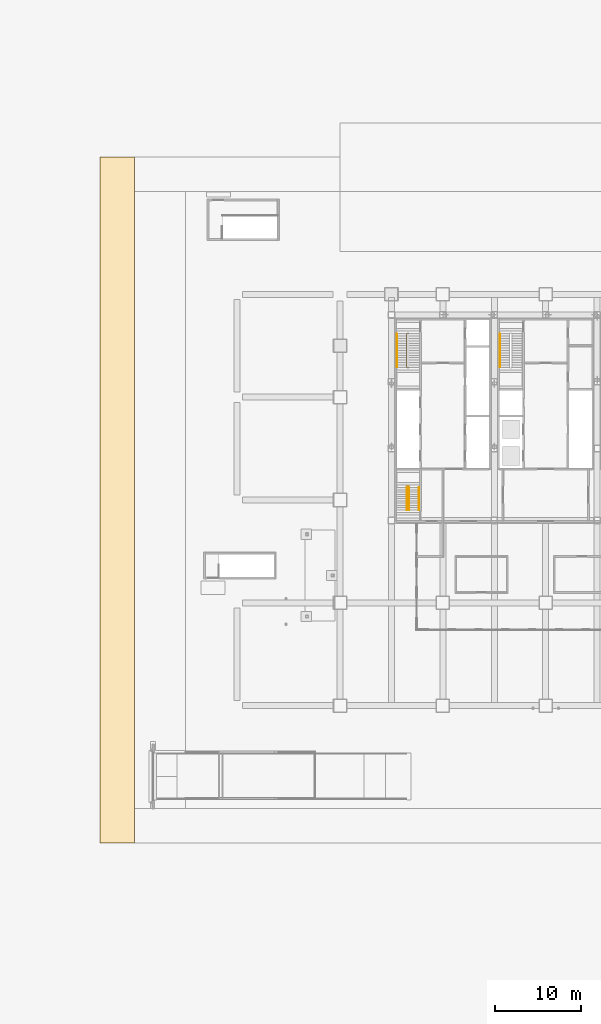
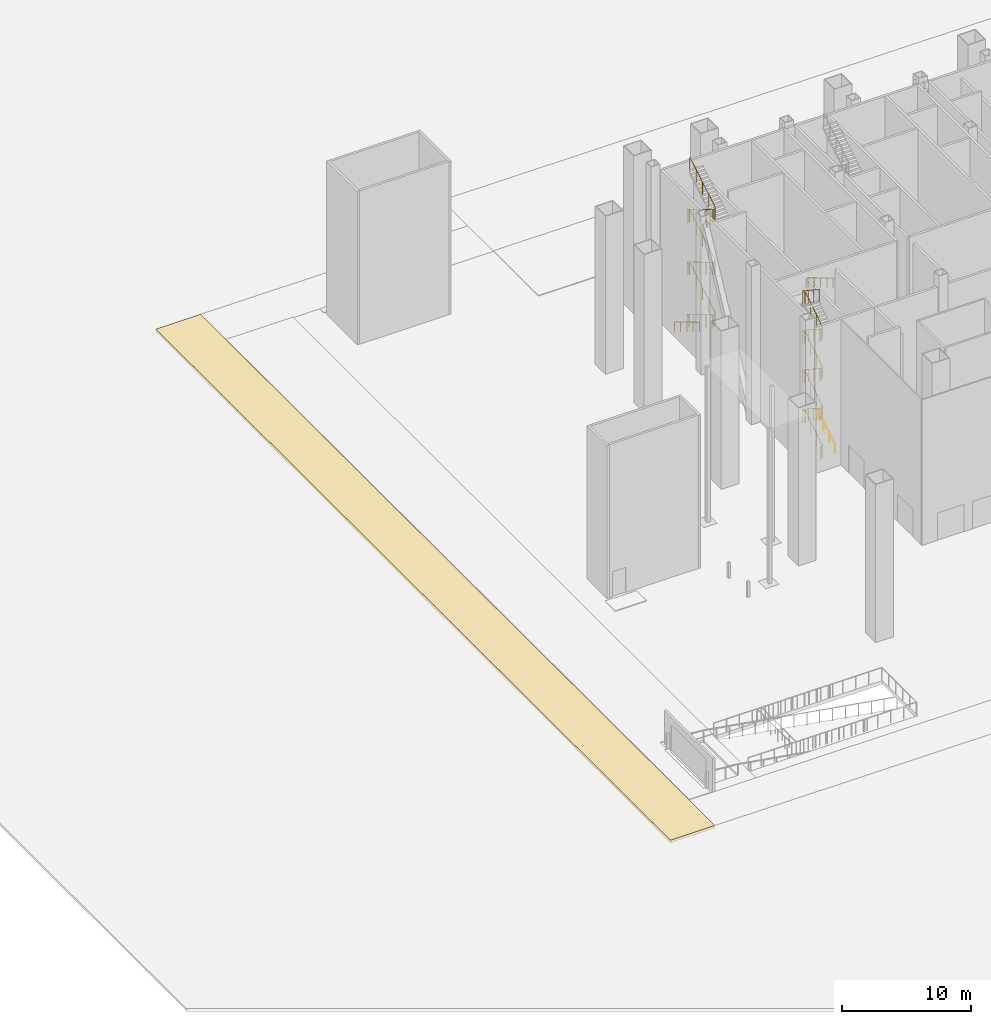
# One storey, part 17 of 22: 8 railings, 1 covering.
"""IFC4 building model written with IfcOpenShell, lengths in metres."""

import ifcopenshell
import ifcopenshell.guid

model = None  # the IFC model being written
_history = None  # IfcOwnerHistory: only IFC2X3 demands one
_inside = {}  # id of a spatial element -> (the spatial element, [elements in it])
_under = {}  # id of a project, library or spatial element -> (it, [spatial elements below it])
_declared = {}  # id of a project -> (the project, [libraries it declares])
_typed = {}  # id of a type object -> (the type object, [elements of that type])
_made_of = {}  # id of a material, layer set ... -> (it, [elements and type objects made of it])


def new_model(schema):
    """Start an empty IFC model of exactly this schema.

    Asked for "IFC4X3", IfcOpenShell would pick the latest addendum, in which some entities
    have other attributes; the version numbers below select the first issue.
    IFC2X3 requires an IfcOwnerHistory on every rooted entity: one is made here for all.
    """
    global model, _history
    if schema == "IFC4X3":
        model = ifcopenshell.file(schema_version=(4, 3, 0, 0))
    else:
        model = ifcopenshell.file(schema=schema)
    _inside.clear()
    _under.clear()
    _declared.clear()
    _typed.clear()
    _made_of.clear()
    _history = None
    if model.schema == "IFC2X3":
        org = make("IfcOrganization", Name="unknown")
        user = make(
            "IfcPersonAndOrganization",
            ThePerson=make("IfcPerson", FamilyName="unknown"),
            TheOrganization=org,
        )
        app = make(
            "IfcApplication",
            ApplicationDeveloper=org,
            Version="unknown",
            ApplicationFullName="unknown",
            ApplicationIdentifier="unknown",
        )
        _history = make(
            "IfcOwnerHistory",
            OwningUser=user,
            OwningApplication=app,
            ChangeAction="ADDED",
            CreationDate=0,
        )
    return model


def make(cls, **values):
    """One entity of the class cls with the attributes given. An attribute that is None is left unset."""
    return model.create_entity(
        cls, **{name: value for name, value in values.items() if value is not None}
    )


def rooted(cls, **values):
    """An entity with a GlobalId (a new one), such as an element, a storey or a relation."""
    return make(cls, GlobalId=ifcopenshell.guid.new(), OwnerHistory=_history, **values)


def si_unit(unit_type, name, prefix=None):
    """IfcSIUnit, for example si_unit("LENGTHUNIT", "METRE", prefix="MILLI")."""
    return make("IfcSIUnit", UnitType=unit_type, Prefix=prefix, Name=name)


def assignment(units):
    """IfcUnitAssignment: the units of a project."""
    return None if units is None else make("IfcUnitAssignment", Units=units)


def point(xyz):
    """IfcCartesianPoint."""
    return None if xyz is None else make("IfcCartesianPoint", Coordinates=xyz)


def direction(xyz):
    """IfcDirection."""
    return None if xyz is None else make("IfcDirection", DirectionRatios=xyz)


def frame(location, z_axis=None, x_axis=None):
    """IfcAxis2Placement3D, a coordinate frame: its origin and axes. An axis left out is left unset."""
    return make(
        "IfcAxis2Placement3D",
        Location=point(location),
        Axis=direction(z_axis),
        RefDirection=direction(x_axis),
    )


def frame_2d(location, x_axis=None):
    """IfcAxis2Placement2D, a coordinate frame in the plane: its origin and x axis."""
    return make(
        "IfcAxis2Placement2D", Location=point(location), RefDirection=direction(x_axis)
    )


def origin():
    """The frame at (0, 0, 0) with its axes left unset."""
    return frame((0.0, 0.0, 0.0))


def origin_2d():
    """The frame at (0, 0) in the plane with its x axis left unset."""
    return frame_2d((0.0, 0.0))


def place(relative_to, where):
    """IfcLocalPlacement: puts the frame where relative to a parent placement (None: the world)."""
    return make(
        "IfcLocalPlacement", PlacementRelTo=relative_to, RelativePlacement=where
    )


def context(
    kind, dimensions, precision=None, world=None, true_north=None, identifier=None
):
    """IfcGeometricRepresentationContext, for example the 3D "Model" context."""
    return make(
        "IfcGeometricRepresentationContext",
        ContextIdentifier=identifier,
        ContextType=kind,
        CoordinateSpaceDimension=dimensions,
        Precision=precision,
        WorldCoordinateSystem=world,
        TrueNorth=true_north,
    )


def subcontext(parent, identifier, kind, view, scale=None):
    """IfcGeometricRepresentationSubContext, for example "Body" below "Model"."""
    return make(
        "IfcGeometricRepresentationSubContext",
        ContextIdentifier=identifier,
        ContextType=kind,
        ParentContext=parent,
        TargetScale=scale,
        TargetView=view,
    )


def project(units=None, contexts=None):
    """IfcProject with its units and contexts."""
    return rooted(
        "IfcProject",
        Name="project",
        RepresentationContexts=contexts,
        UnitsInContext=assignment(units),
    )


def spatial(cls, under=None, at=None, **own):
    """A site, building, storey or space (cls), placed at a placement, below another one or the project."""
    s = rooted(cls, ObjectPlacement=at, **own)
    if under is not None:
        _under.setdefault(under.id(), (under, []))[1].append(s)
    return s


def polyline(points):
    """IfcPolyline through the points."""
    return make("IfcPolyline", Points=[point(p) for p in points])


def profile(cls, at=None, kind="AREA", **sizes):
    """A parametric profile (cls). Its sizes go by their IFC names, for example OverallWidth=200.0."""
    return make(cls, ProfileType=kind, Position=at, **sizes)


def circle(**sizes):
    """IfcCircleProfileDef."""
    return profile("IfcCircleProfileDef", **sizes)


def outline(outer, holes=None, kind="AREA"):
    """IfcArbitraryClosedProfileDef: a profile drawn as a closed curve; with holes, ...WithVoids."""
    if holes is None:
        return make("IfcArbitraryClosedProfileDef", ProfileType=kind, OuterCurve=outer)
    return make(
        "IfcArbitraryProfileDefWithVoids",
        ProfileType=kind,
        OuterCurve=outer,
        InnerCurves=holes,
    )


def extrude(swept, where, along, depth):
    """IfcExtrudedAreaSolid: the profile swept, set in the frame where, extruded along a direction by depth."""
    return make(
        "IfcExtrudedAreaSolid",
        SweptArea=swept,
        Position=where,
        ExtrudedDirection=direction(along),
        Depth=depth,
    )


def shape(context_of_items, identifier, shape_type, items):
    """IfcShapeRepresentation: the items that make up one representation, for example the "Body"."""
    return make(
        "IfcShapeRepresentation",
        ContextOfItems=context_of_items,
        RepresentationIdentifier=identifier,
        RepresentationType=shape_type,
        Items=items,
    )


def material(Name=None, Category=None):
    """IfcMaterial."""
    return make("IfcMaterial", Name=Name, Category=Category)


def layer(
    of_material, thickness, ventilated=None, Name=None, Category=None, Priority=None
):
    """IfcMaterialLayer: one layer of a wall or slab, of a material (None: an air gap)."""
    return make(
        "IfcMaterialLayer",
        Material=of_material,
        LayerThickness=thickness,
        IsVentilated=ventilated,
        Name=Name,
        Category=Category,
        Priority=Priority,
    )


def layer_set(layers, Name=None):
    """IfcMaterialLayerSet."""
    return make("IfcMaterialLayerSet", MaterialLayers=layers, LayerSetName=Name)


def made_of(thing, what):
    """Note that an element or type object is made of a material, layer set ...; save() writes the relation."""
    if what is not None:
        _made_of.setdefault(what.id(), (what, []))[1].append(thing)
    return thing


def type_object(cls, material=None, **own):
    """A type object (cls), such as IfcWallType, which elements share."""
    return made_of(rooted(cls, **own), material)


def element(
    cls,
    number,
    at=None,
    inside=None,
    cuts=None,
    type_object=None,
    material=None,
    context=None,
    identifier="Body",
    shape_type=None,
    held_by="IfcProductDefinitionShape",
    body=None,
    shapes=None,
    **own,
):
    """One element of the class cls, such as IfcWall. Its Tag is "e" and its number.

    at: its placement. inside: the storey or other place that contains it. cuts: it is an
    opening in that element (IfcRelVoidsElement). A single representation is given by context,
    identifier, shape_type and body (its items); several are given by shapes. held_by: the class
    of the entity that holds the representations. save() writes the other relations.
    """
    e = rooted(cls, Tag="e%d" % number, ObjectPlacement=at, **own)
    if body is not None:
        shapes = [shape(context, identifier, shape_type, body)]
    if shapes is not None:
        e.Representation = make(held_by, Representations=shapes)
    if inside is not None:
        _inside.setdefault(inside.id(), (inside, []))[1].append(e)
    if cuts is not None:
        rooted(
            "IfcRelVoidsElement", RelatingBuildingElement=cuts, RelatedOpeningElement=e
        )
    if type_object is not None:
        _typed.setdefault(type_object.id(), (type_object, []))[1].append(e)
    return made_of(e, material)


def aggregate(whole, parts):
    """IfcRelAggregates: a whole, such as a stair, and the parts it consists of."""
    return rooted("IfcRelAggregates", RelatingObject=whole, RelatedObjects=parts)


def save(model, path):
    """Write the relations noted so far, then the file.

    IfcRelAggregates (storeys below a building ...), IfcRelContainedInSpatialStructure (elements
    in a storey), IfcRelDefinesByType, IfcRelAssociatesMaterial and IfcRelDeclares: one each for
    every whole, place, type object, material and project.
    """
    for whole, parts in _under.values():
        aggregate(whole, parts)
    for where, things in _inside.values():
        rooted(
            "IfcRelContainedInSpatialStructure",
            RelatedElements=things,
            RelatingStructure=where,
        )
    for kind, things in _typed.values():
        rooted("IfcRelDefinesByType", RelatedObjects=things, RelatingType=kind)
    for what, things in _made_of.values():
        rooted("IfcRelAssociatesMaterial", RelatedObjects=things, RelatingMaterial=what)
    for by, libraries in _declared.values():
        rooted("IfcRelDeclares", RelatingContext=by, RelatedDefinitions=libraries)
    model.write(path)


model = new_model("IFC4")

# Units and contexts
model_context = context("Model", 3, precision=1e-05, world=origin(), true_north=direction((0.0, 1.0)))
body_context = subcontext(model_context, "Body", "Model", "MODEL_VIEW")
ifc_project = project(units=[si_unit("LENGTHUNIT", "METRE"), si_unit("AREAUNIT", "SQUARE_METRE"), si_unit("VOLUMEUNIT", "CUBIC_METRE"), si_unit("PLANEANGLEUNIT", "RADIAN"), si_unit("MASSUNIT", "GRAM", prefix="KILO")], contexts=[model_context])

# Site, building, storey
site_placement = place(None, origin())
site = spatial("IfcSite", under=ifc_project, at=site_placement, CompositionType="ELEMENT")
building_placement = place(site_placement, origin())
building = spatial("IfcBuilding", under=site, at=building_placement, Name="Sorahane Residences", CompositionType="ELEMENT")
storey_placement = place(building_placement, origin())
storey = spatial("IfcBuildingStorey", under=building, at=storey_placement, Name="L00", CompositionType="ELEMENT", Elevation=0.0)

# Covering
ifc_material_1 = material(Name="Concrete paving on compacted granular sub-base", Category="concrete")
ifc_layer = layer(ifc_material_1, 0.25)
ifc_layer_set = layer_set([ifc_layer], Name="Fire lane paving concrete 250")
covering_type = type_object("IfcCoveringType", Name="Fire lane paving concrete 250", PredefinedType="USERDEFINED", material=ifc_layer_set)
covering_placement = place(storey_placement, frame((0.0, 0.0, -0.25)))
element("IfcCovering", 1, at=covering_placement, inside=storey, type_object=covering_type, Name="Fire lane west", ObjectType="PAVING", PredefinedType="USERDEFINED", context=body_context, shape_type="SweptSolid", body=[
    extrude(outline(polyline([(-24.0, -16.0), (-24.0, 64.0), (-28.0, 64.0), (-28.0, -16.0), (-24.0, -16.0)])), origin(), (0.0, 0.0, 1.0), 0.25),
])

# Railings
ifc_material_2 = material(Name="Steel Q355B", Category="steel")
railing_type_1 = type_object("IfcRailingType", Name="Stair guard 1200 Steel Q355B", PredefinedType="GUARDRAIL", material=ifc_material_2)
railing_1_placement = place(storey_placement, frame((8.0, 43.449951171875, 0.0)))
element("IfcRailing", 2, at=railing_1_placement, inside=storey, type_object=railing_type_1, Name="L00 S1 stair guard 1", PredefinedType="GUARDRAIL", context=body_context, shape_type="SweptSolid", body=[
    extrude(circle(Radius=0.02392578125, at=origin_2d()), frame((0.0, 0.0, 1.17578125), z_axis=(-1.0, 0.0, 0.0), x_axis=(0.0, -1.0, 0.0)), (0.0, 0.0, 1.0), 0.14990234375),
    extrude(circle(Radius=0.02392578125, at=origin_2d()), frame((-0.14990234375, 0.0, 1.17578125), z_axis=(-0.27628659633, -0.27628659633, 0.920506074601), x_axis=(0.707106781187, -0.707106781187, 0.0)), (0.0, 0.0, 1.0), 0.18115234375),
    extrude(circle(Radius=0.02392578125, at=origin_2d()), frame((-0.199951171875, -0.050048828125, 1.3427734375), z_axis=(0.0, -0.859296244711, 0.511478214419), x_axis=(1.0, 0.0, 0.0)), (0.0, 0.0, 1.0), 4.561767578125),
    extrude(circle(Radius=0.02392578125, at=origin_2d()), frame((-0.199951171875, -3.969970703125, 3.67578125), z_axis=(0.707106781187, -0.707106781187, 0.0), x_axis=(0.707106781187, 0.707106781187, 0.0)), (0.0, 0.0, 1.0), 0.07080078125),
    extrude(circle(Radius=0.02392578125, at=origin_2d()), frame((-0.14990234375, -4.02001953125, 3.67578125), z_axis=(1.0, 0.0, 0.0), x_axis=(0.0, 1.0, 0.0)), (0.0, 0.0, 1.0), 0.14990234375),
    extrude(circle(Radius=0.02392578125, at=origin_2d()), frame((0.0, -4.02001953125, 3.67578125), z_axis=(0.27628659633, 0.27628659633, 0.920506074601), x_axis=(-0.707106781187, 0.707106781187, 0.0)), (0.0, 0.0, 1.0), 0.18115234375),
    extrude(circle(Radius=0.02392578125, at=origin_2d()), frame((0.050048828125, -3.969970703125, 3.8427734375), z_axis=(0.0, 0.859296244711, 0.511478214419), x_axis=(-1.0, 0.0, 0.0)), (0.0, 0.0, 1.0), 4.561767578125),
    extrude(circle(Radius=0.02392578125, at=origin_2d()), frame((0.050048828125, -0.050048828125, 6.17578125), z_axis=(-0.707106781187, 0.707106781187, 0.0), x_axis=(-0.707106781187, -0.707106781187, 0.0)), (0.0, 0.0, 1.0), 0.07080078125),
    extrude(circle(Radius=0.02392578125, at=origin_2d()), frame((0.0, 0.0, 6.17578125), z_axis=(-1.0, 0.0, 0.0), x_axis=(0.0, -1.0, 0.0)), (0.0, 0.0, 1.0), 0.14990234375),
    extrude(circle(Radius=0.02392578125, at=origin_2d()), frame((-0.14990234375, 0.0, 6.17578125), z_axis=(-0.27628659633, -0.27628659633, 0.920506074601), x_axis=(0.707106781187, -0.707106781187, 0.0)), (0.0, 0.0, 1.0), 0.18115234375),
    extrude(circle(Radius=0.02392578125, at=origin_2d()), frame((-0.199951171875, -0.050048828125, 6.3427734375), z_axis=(0.0, -0.859296244711, 0.511478214419), x_axis=(1.0, 0.0, 0.0)), (0.0, 0.0, 1.0), 4.561767578125),
    extrude(circle(Radius=0.02392578125, at=origin_2d()), frame((-0.199951171875, -3.969970703125, 8.67578125), z_axis=(0.707106781187, -0.707106781187, 0.0), x_axis=(0.707106781187, 0.707106781187, 0.0)), (0.0, 0.0, 1.0), 0.07080078125),
    extrude(circle(Radius=0.02392578125, at=origin_2d()), frame((-0.14990234375, -4.02001953125, 8.67578125), z_axis=(1.0, 0.0, 0.0), x_axis=(0.0, 1.0, 0.0)), (0.0, 0.0, 1.0), 0.14990234375),
    extrude(circle(Radius=0.02392578125, at=origin_2d()), frame((0.0, -4.02001953125, 8.67578125), z_axis=(0.27628659633, 0.27628659633, 0.920506074601), x_axis=(-0.707106781187, 0.707106781187, 0.0)), (0.0, 0.0, 1.0), 0.18115234375),
    extrude(circle(Radius=0.02392578125, at=origin_2d()), frame((0.050048828125, -3.969970703125, 8.8427734375), z_axis=(0.0, 0.859296244711, 0.511478214419), x_axis=(-1.0, 0.0, 0.0)), (0.0, 0.0, 1.0), 4.561767578125),
    extrude(circle(Radius=0.02392578125, at=origin_2d()), frame((0.050048828125, -0.050048828125, 11.17578125), z_axis=(-0.707106781187, 0.707106781187, 0.0), x_axis=(-0.707106781187, -0.707106781187, 0.0)), (0.0, 0.0, 1.0), 0.07080078125),
    extrude(circle(Radius=0.02392578125, at=origin_2d()), frame((0.0, 0.0, 11.17578125), z_axis=(-1.0, 0.0, 0.0), x_axis=(0.0, -1.0, 0.0)), (0.0, 0.0, 1.0), 0.14990234375),
    extrude(circle(Radius=0.02392578125, at=origin_2d()), frame((-0.14990234375, 0.0, 11.17578125), z_axis=(-0.27628659633, -0.27628659633, 0.920506074601), x_axis=(0.707106781187, -0.707106781187, 0.0)), (0.0, 0.0, 1.0), 0.18115234375),
    extrude(circle(Radius=0.02392578125, at=origin_2d()), frame((-0.199951171875, -0.050048828125, 11.3427734375), z_axis=(0.0, -0.859296244711, 0.511478214419), x_axis=(1.0, 0.0, 0.0)), (0.0, 0.0, 1.0), 4.561767578125),
    extrude(circle(Radius=0.02392578125, at=origin_2d()), frame((-0.199951171875, -3.969970703125, 13.67578125), z_axis=(0.707106781187, -0.707106781187, 0.0), x_axis=(0.707106781187, 0.707106781187, 0.0)), (0.0, 0.0, 1.0), 0.07080078125),
    extrude(circle(Radius=0.02392578125, at=origin_2d()), frame((-0.14990234375, -4.02001953125, 13.67578125), z_axis=(1.0, 0.0, 0.0), x_axis=(0.0, 1.0, 0.0)), (0.0, 0.0, 1.0), 0.14990234375),
    extrude(circle(Radius=0.02392578125, at=origin_2d()), frame((0.0, -4.02001953125, 13.67578125), z_axis=(0.27628659633, 0.27628659633, 0.920506074601), x_axis=(-0.707106781187, 0.707106781187, 0.0)), (0.0, 0.0, 1.0), 0.18115234375),
    extrude(circle(Radius=0.02392578125, at=origin_2d()), frame((0.050048828125, -3.969970703125, 13.8427734375), z_axis=(0.0, 0.859296244711, 0.511478214419), x_axis=(-1.0, 0.0, 0.0)), (0.0, 0.0, 1.0), 4.561767578125),
    extrude(circle(Radius=0.02099609375, at=origin_2d()), origin(), (0.0, 0.0, 1.0), 1.15185546875),
    extrude(circle(Radius=0.02099609375, at=origin_2d()), frame((-0.14990234375, 0.0, 0.0)), (0.0, 0.0, 1.0), 1.15185546875),
    extrude(circle(Radius=0.02099609375, at=origin_2d()), frame((-0.199951171875, -0.050048828125, 0.166748046875)), (0.0, 0.0, 1.0), 1.15185546875),
    extrude(circle(Radius=0.02099609375, at=origin_2d()), frame((-0.199951171875, -1.030029296875, 0.75)), (0.0, 0.0, 1.0), 1.15185546875),
    extrude(circle(Radius=0.02099609375, at=origin_2d()), frame((-0.199951171875, -2.010009765625, 1.33349609375)), (0.0, 0.0, 1.0), 1.15185546875),
    extrude(circle(Radius=0.02099609375, at=origin_2d()), frame((-0.199951171875, -2.989990234375, 1.916748046875)), (0.0, 0.0, 1.0), 1.15185546875),
    extrude(circle(Radius=0.02099609375, at=origin_2d()), frame((-0.199951171875, -3.969970703125, 2.5)), (0.0, 0.0, 1.0), 1.15185546875),
    extrude(circle(Radius=0.02099609375, at=origin_2d()), frame((-0.14990234375, -4.02001953125, 2.5)), (0.0, 0.0, 1.0), 1.15185546875),
    extrude(circle(Radius=0.02099609375, at=origin_2d()), frame((0.0, -4.02001953125, 2.5)), (0.0, 0.0, 1.0), 1.15185546875),
    extrude(circle(Radius=0.02099609375, at=origin_2d()), frame((0.050048828125, -3.969970703125, 2.666748046875)), (0.0, 0.0, 1.0), 1.15185546875),
    extrude(circle(Radius=0.02099609375, at=origin_2d()), frame((0.050048828125, -2.989990234375, 3.25)), (0.0, 0.0, 1.0), 1.15185546875),
    extrude(circle(Radius=0.02099609375, at=origin_2d()), frame((0.050048828125, -2.010009765625, 3.83349609375)), (0.0, 0.0, 1.0), 1.15185546875),
    extrude(circle(Radius=0.02099609375, at=origin_2d()), frame((0.050048828125, -1.030029296875, 4.416748046875)), (0.0, 0.0, 1.0), 1.15185546875),
    extrude(circle(Radius=0.02099609375, at=origin_2d()), frame((0.050048828125, -0.050048828125, 5.0)), (0.0, 0.0, 1.0), 1.15185546875),
    extrude(circle(Radius=0.02099609375, at=origin_2d()), frame((0.0, 0.0, 5.0)), (0.0, 0.0, 1.0), 1.15185546875),
    extrude(circle(Radius=0.02099609375, at=origin_2d()), frame((-0.14990234375, 0.0, 5.0)), (0.0, 0.0, 1.0), 1.15185546875),
    extrude(circle(Radius=0.02099609375, at=origin_2d()), frame((-0.199951171875, -0.050048828125, 5.166748046875)), (0.0, 0.0, 1.0), 1.15185546875),
    extrude(circle(Radius=0.02099609375, at=origin_2d()), frame((-0.199951171875, -1.030029296875, 5.75)), (0.0, 0.0, 1.0), 1.15185546875),
    extrude(circle(Radius=0.02099609375, at=origin_2d()), frame((-0.199951171875, -2.010009765625, 6.33349609375)), (0.0, 0.0, 1.0), 1.15185546875),
    extrude(circle(Radius=0.02099609375, at=origin_2d()), frame((-0.199951171875, -2.989990234375, 6.916748046875)), (0.0, 0.0, 1.0), 1.15185546875),
    extrude(circle(Radius=0.02099609375, at=origin_2d()), frame((-0.199951171875, -3.969970703125, 7.5)), (0.0, 0.0, 1.0), 1.15185546875),
    extrude(circle(Radius=0.02099609375, at=origin_2d()), frame((-0.14990234375, -4.02001953125, 7.5)), (0.0, 0.0, 1.0), 1.15185546875),
    extrude(circle(Radius=0.02099609375, at=origin_2d()), frame((0.0, -4.02001953125, 7.5)), (0.0, 0.0, 1.0), 1.15185546875),
    extrude(circle(Radius=0.02099609375, at=origin_2d()), frame((0.050048828125, -3.969970703125, 7.666748046875)), (0.0, 0.0, 1.0), 1.15185546875),
    extrude(circle(Radius=0.02099609375, at=origin_2d()), frame((0.050048828125, -2.989990234375, 8.25)), (0.0, 0.0, 1.0), 1.15185546875),
    extrude(circle(Radius=0.02099609375, at=origin_2d()), frame((0.050048828125, -2.010009765625, 8.83349609375)), (0.0, 0.0, 1.0), 1.15185546875),
    extrude(circle(Radius=0.02099609375, at=origin_2d()), frame((0.050048828125, -1.030029296875, 9.416748046875)), (0.0, 0.0, 1.0), 1.15185546875),
    extrude(circle(Radius=0.02099609375, at=origin_2d()), frame((0.050048828125, -0.050048828125, 10.0)), (0.0, 0.0, 1.0), 1.15185546875),
    extrude(circle(Radius=0.02099609375, at=origin_2d()), frame((0.0, 0.0, 10.0)), (0.0, 0.0, 1.0), 1.15185546875),
    extrude(circle(Radius=0.02099609375, at=origin_2d()), frame((-0.14990234375, 0.0, 10.0)), (0.0, 0.0, 1.0), 1.15185546875),
    extrude(circle(Radius=0.02099609375, at=origin_2d()), frame((-0.199951171875, -0.050048828125, 10.166748046875)), (0.0, 0.0, 1.0), 1.15185546875),
    extrude(circle(Radius=0.02099609375, at=origin_2d()), frame((-0.199951171875, -1.030029296875, 10.75)), (0.0, 0.0, 1.0), 1.15185546875),
    extrude(circle(Radius=0.02099609375, at=origin_2d()), frame((-0.199951171875, -2.010009765625, 11.33349609375)), (0.0, 0.0, 1.0), 1.15185546875),
    extrude(circle(Radius=0.02099609375, at=origin_2d()), frame((-0.199951171875, -2.989990234375, 11.916748046875)), (0.0, 0.0, 1.0), 1.15185546875),
    extrude(circle(Radius=0.02099609375, at=origin_2d()), frame((-0.199951171875, -3.969970703125, 12.5)), (0.0, 0.0, 1.0), 1.15185546875),
    extrude(circle(Radius=0.02099609375, at=origin_2d()), frame((-0.14990234375, -4.02001953125, 12.5)), (0.0, 0.0, 1.0), 1.15185546875),
    extrude(circle(Radius=0.02099609375, at=origin_2d()), frame((0.0, -4.02001953125, 12.5)), (0.0, 0.0, 1.0), 1.15185546875),
    extrude(circle(Radius=0.02099609375, at=origin_2d()), frame((0.050048828125, -3.969970703125, 12.666748046875)), (0.0, 0.0, 1.0), 1.15185546875),
    extrude(circle(Radius=0.02099609375, at=origin_2d()), frame((0.050048828125, -2.989990234375, 13.25)), (0.0, 0.0, 1.0), 1.15185546875),
    extrude(circle(Radius=0.02099609375, at=origin_2d()), frame((0.050048828125, -2.010009765625, 13.83349609375)), (0.0, 0.0, 1.0), 1.15185546875),
    extrude(circle(Radius=0.02099609375, at=origin_2d()), frame((0.050048828125, -1.030029296875, 14.416748046875)), (0.0, 0.0, 1.0), 1.15185546875),
    extrude(circle(Radius=0.02099609375, at=origin_2d()), frame((0.050048828125, -0.050048828125, 15.0)), (0.0, 0.0, 1.0), 1.15185546875),
])
railing_2_placement = place(storey_placement, frame((7.85009765625, 22.800048828125, 0.0)))
element("IfcRailing", 3, at=railing_2_placement, inside=storey, type_object=railing_type_1, Name="L00 S4 stair guard 1", PredefinedType="GUARDRAIL", context=body_context, shape_type="SweptSolid", body=[
    extrude(circle(Radius=0.02392578125, at=origin_2d()), frame((0.0, 0.0, 1.17578125), z_axis=(1.0, 0.0, 0.0), x_axis=(0.0, 1.0, 0.0)), (0.0, 0.0, 1.0), 0.14990234375),
    extrude(circle(Radius=0.02392578125, at=origin_2d()), frame((0.14990234375, 0.0, 1.17578125), z_axis=(0.271230943075, 0.271230943075, 0.923508284228), x_axis=(-0.707106781187, 0.707106781187, 0.0)), (0.0, 0.0, 1.0), 0.1845703125),
    extrude(circle(Radius=0.02392578125, at=origin_2d()), frame((0.199951171875, 0.050048828125, 1.34619140625), z_axis=(0.0, 0.836278606002, 0.548304744775), x_axis=(-1.0, 0.0, 0.0)), (0.0, 0.0, 1.0), 3.10888671875),
    extrude(circle(Radius=0.02392578125, at=origin_2d()), frame((0.199951171875, 2.64990234375, 3.05078125), z_axis=(-0.707106781187, 0.707106781187, 0.0), x_axis=(-0.707106781187, -0.707106781187, 0.0)), (0.0, 0.0, 1.0), 0.07080078125),
    extrude(circle(Radius=0.02392578125, at=origin_2d()), frame((0.14990234375, 2.699951171875, 3.05078125), z_axis=(-1.0, 0.0, 0.0), x_axis=(0.0, -1.0, 0.0)), (0.0, 0.0, 1.0), 0.14990234375),
    extrude(circle(Radius=0.02392578125, at=origin_2d()), frame((0.0, 2.699951171875, 3.05078125), z_axis=(-0.271230943075, -0.271230943075, 0.923508284228), x_axis=(0.707106781187, -0.707106781187, 0.0)), (0.0, 0.0, 1.0), 0.1845703125),
    extrude(circle(Radius=0.02392578125, at=origin_2d()), frame((-0.050048828125, 2.64990234375, 3.22119140625), z_axis=(0.0, -0.836278606002, 0.548304744775), x_axis=(1.0, 0.0, 0.0)), (0.0, 0.0, 1.0), 3.10888671875),
    extrude(circle(Radius=0.02099609375, at=origin_2d()), origin(), (0.0, 0.0, 1.0), 1.15185546875),
    extrude(circle(Radius=0.02099609375, at=origin_2d()), frame((0.14990234375, 0.0, 0.0)), (0.0, 0.0, 1.0), 1.15185546875),
    extrude(circle(Radius=0.02099609375, at=origin_2d()), frame((0.199951171875, 0.050048828125, 0.17041015625)), (0.0, 0.0, 1.0), 1.15185546875),
    extrude(circle(Radius=0.02099609375, at=origin_2d()), frame((0.199951171875, 0.916748046875, 0.738525390625)), (0.0, 0.0, 1.0), 1.15185546875),
    extrude(circle(Radius=0.02099609375, at=origin_2d()), frame((0.199951171875, 1.783203125, 1.306884765625)), (0.0, 0.0, 1.0), 1.15185546875),
    extrude(circle(Radius=0.02099609375, at=origin_2d()), frame((0.199951171875, 2.64990234375, 1.875)), (0.0, 0.0, 1.0), 1.15185546875),
    extrude(circle(Radius=0.02099609375, at=origin_2d()), frame((0.14990234375, 2.699951171875, 1.875)), (0.0, 0.0, 1.0), 1.15185546875),
    extrude(circle(Radius=0.02099609375, at=origin_2d()), frame((0.0, 2.699951171875, 1.875)), (0.0, 0.0, 1.0), 1.15185546875),
    extrude(circle(Radius=0.02099609375, at=origin_2d()), frame((-0.050048828125, 2.64990234375, 2.04541015625)), (0.0, 0.0, 1.0), 1.15185546875),
    extrude(circle(Radius=0.02099609375, at=origin_2d()), frame((-0.050048828125, 1.783203125, 2.613525390625)), (0.0, 0.0, 1.0), 1.15185546875),
    extrude(circle(Radius=0.02099609375, at=origin_2d()), frame((-0.050048828125, 0.916748046875, 3.181884765625)), (0.0, 0.0, 1.0), 1.15185546875),
    extrude(circle(Radius=0.02099609375, at=origin_2d()), frame((-0.050048828125, 0.050048828125, 3.75)), (0.0, 0.0, 1.0), 1.15185546875),
])
railing_3_placement = place(storey_placement, frame((7.85009765625, 22.800048828125, 3.75)))
element("IfcRailing", 4, at=railing_3_placement, inside=storey, type_object=railing_type_1, Name="L00 S4 stair guard 2", PredefinedType="GUARDRAIL", context=body_context, shape_type="SweptSolid", body=[
    extrude(circle(Radius=0.02392578125, at=origin_2d()), frame((0.0, 0.0, 1.17578125), z_axis=(1.0, 0.0, 0.0), x_axis=(0.0, 1.0, 0.0)), (0.0, 0.0, 1.0), 0.14990234375),
    extrude(circle(Radius=0.02392578125, at=origin_2d()), frame((0.14990234375, 0.0, 1.17578125), z_axis=(0.271230943075, 0.271230943075, 0.923508284228), x_axis=(-0.707106781187, 0.707106781187, 0.0)), (0.0, 0.0, 1.0), 0.1845703125),
    extrude(circle(Radius=0.02392578125, at=origin_2d()), frame((0.199951171875, 0.050048828125, 1.34619140625), z_axis=(0.0, 0.836278606002, 0.548304744775), x_axis=(-1.0, 0.0, 0.0)), (0.0, 0.0, 1.0), 3.10888671875),
    extrude(circle(Radius=0.02392578125, at=origin_2d()), frame((0.199951171875, 2.64990234375, 3.05078125), z_axis=(-0.707106781187, 0.707106781187, 0.0), x_axis=(-0.707106781187, -0.707106781187, 0.0)), (0.0, 0.0, 1.0), 0.07080078125),
    extrude(circle(Radius=0.02392578125, at=origin_2d()), frame((0.14990234375, 2.699951171875, 3.05078125), z_axis=(-1.0, 0.0, 0.0), x_axis=(0.0, -1.0, 0.0)), (0.0, 0.0, 1.0), 0.14990234375),
    extrude(circle(Radius=0.02392578125, at=origin_2d()), frame((0.0, 2.699951171875, 3.05078125), z_axis=(-0.271230943075, -0.271230943075, 0.923508284228), x_axis=(0.707106781187, -0.707106781187, 0.0)), (0.0, 0.0, 1.0), 0.1845703125),
    extrude(circle(Radius=0.02392578125, at=origin_2d()), frame((-0.050048828125, 2.64990234375, 3.22119140625), z_axis=(0.0, -0.836278606002, 0.548304744775), x_axis=(1.0, 0.0, 0.0)), (0.0, 0.0, 1.0), 3.10888671875),
    extrude(circle(Radius=0.02099609375, at=origin_2d()), origin(), (0.0, 0.0, 1.0), 1.15185546875),
    extrude(circle(Radius=0.02099609375, at=origin_2d()), frame((0.14990234375, 0.0, 0.0)), (0.0, 0.0, 1.0), 1.15185546875),
    extrude(circle(Radius=0.02099609375, at=origin_2d()), frame((0.199951171875, 0.050048828125, 0.17041015625)), (0.0, 0.0, 1.0), 1.15185546875),
    extrude(circle(Radius=0.02099609375, at=origin_2d()), frame((0.199951171875, 0.916748046875, 0.738525390625)), (0.0, 0.0, 1.0), 1.15185546875),
    extrude(circle(Radius=0.02099609375, at=origin_2d()), frame((0.199951171875, 1.783203125, 1.306884765625)), (0.0, 0.0, 1.0), 1.15185546875),
    extrude(circle(Radius=0.02099609375, at=origin_2d()), frame((0.199951171875, 2.64990234375, 1.875)), (0.0, 0.0, 1.0), 1.15185546875),
    extrude(circle(Radius=0.02099609375, at=origin_2d()), frame((0.14990234375, 2.699951171875, 1.875)), (0.0, 0.0, 1.0), 1.15185546875),
    extrude(circle(Radius=0.02099609375, at=origin_2d()), frame((0.0, 2.699951171875, 1.875)), (0.0, 0.0, 1.0), 1.15185546875),
    extrude(circle(Radius=0.02099609375, at=origin_2d()), frame((-0.050048828125, 2.64990234375, 2.04541015625)), (0.0, 0.0, 1.0), 1.15185546875),
    extrude(circle(Radius=0.02099609375, at=origin_2d()), frame((-0.050048828125, 1.783203125, 2.613525390625)), (0.0, 0.0, 1.0), 1.15185546875),
    extrude(circle(Radius=0.02099609375, at=origin_2d()), frame((-0.050048828125, 0.916748046875, 3.181884765625)), (0.0, 0.0, 1.0), 1.15185546875),
    extrude(circle(Radius=0.02099609375, at=origin_2d()), frame((-0.050048828125, 0.050048828125, 3.75)), (0.0, 0.0, 1.0), 1.15185546875),
])
railing_4_placement = place(storey_placement, frame((7.85009765625, 22.800048828125, 7.5)))
element("IfcRailing", 5, at=railing_4_placement, inside=storey, type_object=railing_type_1, Name="L00 S4 stair guard 3", PredefinedType="GUARDRAIL", context=body_context, shape_type="SweptSolid", body=[
    extrude(circle(Radius=0.02392578125, at=origin_2d()), frame((0.0, 0.0, 1.17578125), z_axis=(1.0, 0.0, 0.0), x_axis=(0.0, 1.0, 0.0)), (0.0, 0.0, 1.0), 0.14990234375),
    extrude(circle(Radius=0.02392578125, at=origin_2d()), frame((0.14990234375, 0.0, 1.17578125), z_axis=(0.271230943075, 0.271230943075, 0.923508284228), x_axis=(-0.707106781187, 0.707106781187, 0.0)), (0.0, 0.0, 1.0), 0.1845703125),
    extrude(circle(Radius=0.02392578125, at=origin_2d()), frame((0.199951171875, 0.050048828125, 1.34619140625), z_axis=(0.0, 0.836278606002, 0.548304744775), x_axis=(-1.0, 0.0, 0.0)), (0.0, 0.0, 1.0), 3.10888671875),
    extrude(circle(Radius=0.02392578125, at=origin_2d()), frame((0.199951171875, 2.64990234375, 3.05078125), z_axis=(-0.707106781187, 0.707106781187, 0.0), x_axis=(-0.707106781187, -0.707106781187, 0.0)), (0.0, 0.0, 1.0), 0.07080078125),
    extrude(circle(Radius=0.02392578125, at=origin_2d()), frame((0.14990234375, 2.699951171875, 3.05078125), z_axis=(-1.0, 0.0, 0.0), x_axis=(0.0, -1.0, 0.0)), (0.0, 0.0, 1.0), 0.14990234375),
    extrude(circle(Radius=0.02392578125, at=origin_2d()), frame((0.0, 2.699951171875, 3.05078125), z_axis=(-0.271230943075, -0.271230943075, 0.923508284228), x_axis=(0.707106781187, -0.707106781187, 0.0)), (0.0, 0.0, 1.0), 0.1845703125),
    extrude(circle(Radius=0.02392578125, at=origin_2d()), frame((-0.050048828125, 2.64990234375, 3.22119140625), z_axis=(0.0, -0.836278606002, 0.548304744775), x_axis=(1.0, 0.0, 0.0)), (0.0, 0.0, 1.0), 3.10888671875),
    extrude(circle(Radius=0.02099609375, at=origin_2d()), origin(), (0.0, 0.0, 1.0), 1.15185546875),
    extrude(circle(Radius=0.02099609375, at=origin_2d()), frame((0.14990234375, 0.0, 0.0)), (0.0, 0.0, 1.0), 1.15185546875),
    extrude(circle(Radius=0.02099609375, at=origin_2d()), frame((0.199951171875, 0.050048828125, 0.17041015625)), (0.0, 0.0, 1.0), 1.15185546875),
    extrude(circle(Radius=0.02099609375, at=origin_2d()), frame((0.199951171875, 0.916748046875, 0.738525390625)), (0.0, 0.0, 1.0), 1.15185546875),
    extrude(circle(Radius=0.02099609375, at=origin_2d()), frame((0.199951171875, 1.783203125, 1.306884765625)), (0.0, 0.0, 1.0), 1.15185546875),
    extrude(circle(Radius=0.02099609375, at=origin_2d()), frame((0.199951171875, 2.64990234375, 1.875)), (0.0, 0.0, 1.0), 1.15185546875),
    extrude(circle(Radius=0.02099609375, at=origin_2d()), frame((0.14990234375, 2.699951171875, 1.875)), (0.0, 0.0, 1.0), 1.15185546875),
    extrude(circle(Radius=0.02099609375, at=origin_2d()), frame((0.0, 2.699951171875, 1.875)), (0.0, 0.0, 1.0), 1.15185546875),
    extrude(circle(Radius=0.02099609375, at=origin_2d()), frame((-0.050048828125, 2.64990234375, 2.04541015625)), (0.0, 0.0, 1.0), 1.15185546875),
    extrude(circle(Radius=0.02099609375, at=origin_2d()), frame((-0.050048828125, 1.783203125, 2.613525390625)), (0.0, 0.0, 1.0), 1.15185546875),
    extrude(circle(Radius=0.02099609375, at=origin_2d()), frame((-0.050048828125, 0.916748046875, 3.181884765625)), (0.0, 0.0, 1.0), 1.15185546875),
    extrude(circle(Radius=0.02099609375, at=origin_2d()), frame((-0.050048828125, 0.050048828125, 3.75)), (0.0, 0.0, 1.0), 1.15185546875),
])
railing_5_placement = place(storey_placement, frame((7.85009765625, 22.800048828125, 11.25)))
element("IfcRailing", 6, at=railing_5_placement, inside=storey, type_object=railing_type_1, Name="L00 S4 stair guard 4", PredefinedType="GUARDRAIL", context=body_context, shape_type="SweptSolid", body=[
    extrude(circle(Radius=0.02392578125, at=origin_2d()), frame((0.0, 0.0, 1.17578125), z_axis=(1.0, 0.0, 0.0), x_axis=(0.0, 1.0, 0.0)), (0.0, 0.0, 1.0), 0.14990234375),
    extrude(circle(Radius=0.02392578125, at=origin_2d()), frame((0.14990234375, 0.0, 1.17578125), z_axis=(0.271230943075, 0.271230943075, 0.923508284228), x_axis=(-0.707106781187, 0.707106781187, 0.0)), (0.0, 0.0, 1.0), 0.1845703125),
    extrude(circle(Radius=0.02392578125, at=origin_2d()), frame((0.199951171875, 0.050048828125, 1.34619140625), z_axis=(0.0, 0.836278606002, 0.548304744775), x_axis=(-1.0, 0.0, 0.0)), (0.0, 0.0, 1.0), 3.10888671875),
    extrude(circle(Radius=0.02392578125, at=origin_2d()), frame((0.199951171875, 2.64990234375, 3.05078125), z_axis=(-0.707106781187, 0.707106781187, 0.0), x_axis=(-0.707106781187, -0.707106781187, 0.0)), (0.0, 0.0, 1.0), 0.07080078125),
    extrude(circle(Radius=0.02392578125, at=origin_2d()), frame((0.14990234375, 2.699951171875, 3.05078125), z_axis=(-1.0, 0.0, 0.0), x_axis=(0.0, -1.0, 0.0)), (0.0, 0.0, 1.0), 0.14990234375),
    extrude(circle(Radius=0.02392578125, at=origin_2d()), frame((0.0, 2.699951171875, 3.05078125), z_axis=(-0.271230943075, -0.271230943075, 0.923508284228), x_axis=(0.707106781187, -0.707106781187, 0.0)), (0.0, 0.0, 1.0), 0.1845703125),
    extrude(circle(Radius=0.02392578125, at=origin_2d()), frame((-0.050048828125, 2.64990234375, 3.22119140625), z_axis=(0.0, -0.836278606002, 0.548304744775), x_axis=(1.0, 0.0, 0.0)), (0.0, 0.0, 1.0), 3.10888671875),
    extrude(circle(Radius=0.02099609375, at=origin_2d()), origin(), (0.0, 0.0, 1.0), 1.15185546875),
    extrude(circle(Radius=0.02099609375, at=origin_2d()), frame((0.14990234375, 0.0, 0.0)), (0.0, 0.0, 1.0), 1.15185546875),
    extrude(circle(Radius=0.02099609375, at=origin_2d()), frame((0.199951171875, 0.050048828125, 0.17041015625)), (0.0, 0.0, 1.0), 1.15185546875),
    extrude(circle(Radius=0.02099609375, at=origin_2d()), frame((0.199951171875, 0.916748046875, 0.738525390625)), (0.0, 0.0, 1.0), 1.15185546875),
    extrude(circle(Radius=0.02099609375, at=origin_2d()), frame((0.199951171875, 1.783203125, 1.306884765625)), (0.0, 0.0, 1.0), 1.15185546875),
    extrude(circle(Radius=0.02099609375, at=origin_2d()), frame((0.199951171875, 2.64990234375, 1.875)), (0.0, 0.0, 1.0), 1.15185546875),
    extrude(circle(Radius=0.02099609375, at=origin_2d()), frame((0.14990234375, 2.699951171875, 1.875)), (0.0, 0.0, 1.0), 1.15185546875),
    extrude(circle(Radius=0.02099609375, at=origin_2d()), frame((0.0, 2.699951171875, 1.875)), (0.0, 0.0, 1.0), 1.15185546875),
    extrude(circle(Radius=0.02099609375, at=origin_2d()), frame((-0.050048828125, 2.64990234375, 2.04541015625)), (0.0, 0.0, 1.0), 1.15185546875),
    extrude(circle(Radius=0.02099609375, at=origin_2d()), frame((-0.050048828125, 1.783203125, 2.613525390625)), (0.0, 0.0, 1.0), 1.15185546875),
    extrude(circle(Radius=0.02099609375, at=origin_2d()), frame((-0.050048828125, 0.916748046875, 3.181884765625)), (0.0, 0.0, 1.0), 1.15185546875),
    extrude(circle(Radius=0.02099609375, at=origin_2d()), frame((-0.050048828125, 0.050048828125, 3.75)), (0.0, 0.0, 1.0), 1.15185546875),
])
ifc_material_3 = material(Name="Steel Q355B", Category="steel")
railing_type_2 = type_object("IfcRailingType", Name="Stair handrail 900 Steel Q355B", PredefinedType="HANDRAIL", material=ifc_material_3)
for number, where, name in (
    (7, (6.64990234375, 43.39990234375, 0.166748046875), "L00 S1 stair handrail 1"),
    (8, (18.64990234375, 43.39990234375, 0.166748046875), "L00 S3 stair handrail 1"),
):
    element("IfcRailing", number, at=place(storey_placement, frame(where)), inside=storey, type_object=railing_type_2, Name=name, PredefinedType="HANDRAIL", context=body_context, shape_type="SweptSolid", body=[
        extrude(circle(Radius=0.02392578125, at=origin_2d()), frame((0.0, 0.0, 0.8759765625), z_axis=(0.0, -0.859296244711, 0.511478214419), x_axis=(1.0, 0.0, 0.0)), (0.0, 0.0, 1.0), 4.561767578125),
        extrude(circle(Radius=0.02099609375, at=origin_2d()), origin(), (0.0, 0.0, 1.0), 0.851806640625),
        extrude(circle(Radius=0.02099609375, at=origin_2d()), frame((0.0, -0.97998046875, 0.583251953125)), (0.0, 0.0, 1.0), 0.851806640625),
        extrude(circle(Radius=0.02099609375, at=origin_2d()), frame((0.0, -1.9599609375, 1.16650390625)), (0.0, 0.0, 1.0), 0.851806640625),
        extrude(circle(Radius=0.02099609375, at=origin_2d()), frame((0.0, -2.93994140625, 1.75)), (0.0, 0.0, 1.0), 0.851806640625),
        extrude(circle(Radius=0.02099609375, at=origin_2d()), frame((0.0, -3.919921875, 2.333251953125)), (0.0, 0.0, 1.0), 0.851806640625),
    ])
railing_6_placement = place(storey_placement, frame((9.199951171875, 22.85009765625, 0.17041015625)))
element("IfcRailing", 9, at=railing_6_placement, inside=storey, type_object=railing_type_2, Name="L00 S4 stair handrail 1", PredefinedType="HANDRAIL", context=body_context, shape_type="SweptSolid", body=[
    extrude(circle(Radius=0.02392578125, at=origin_2d()), frame((0.0, 0.0, 0.8759765625), z_axis=(0.0, 0.836278606002, 0.548304744775), x_axis=(-1.0, 0.0, 0.0)), (0.0, 0.0, 1.0), 3.10888671875),
    extrude(circle(Radius=0.02099609375, at=origin_2d()), origin(), (0.0, 0.0, 1.0), 0.851806640625),
    extrude(circle(Radius=0.02099609375, at=origin_2d()), frame((0.0, 0.86669921875, 0.568115234375)), (0.0, 0.0, 1.0), 0.851806640625),
    extrude(circle(Radius=0.02099609375, at=origin_2d()), frame((0.0, 1.733154296875, 1.136474609375)), (0.0, 0.0, 1.0), 0.851806640625),
    extrude(circle(Radius=0.02099609375, at=origin_2d()), frame((0.0, 2.599853515625, 1.70458984375)), (0.0, 0.0, 1.0), 0.851806640625),
])

save(model, "model.ifc")
